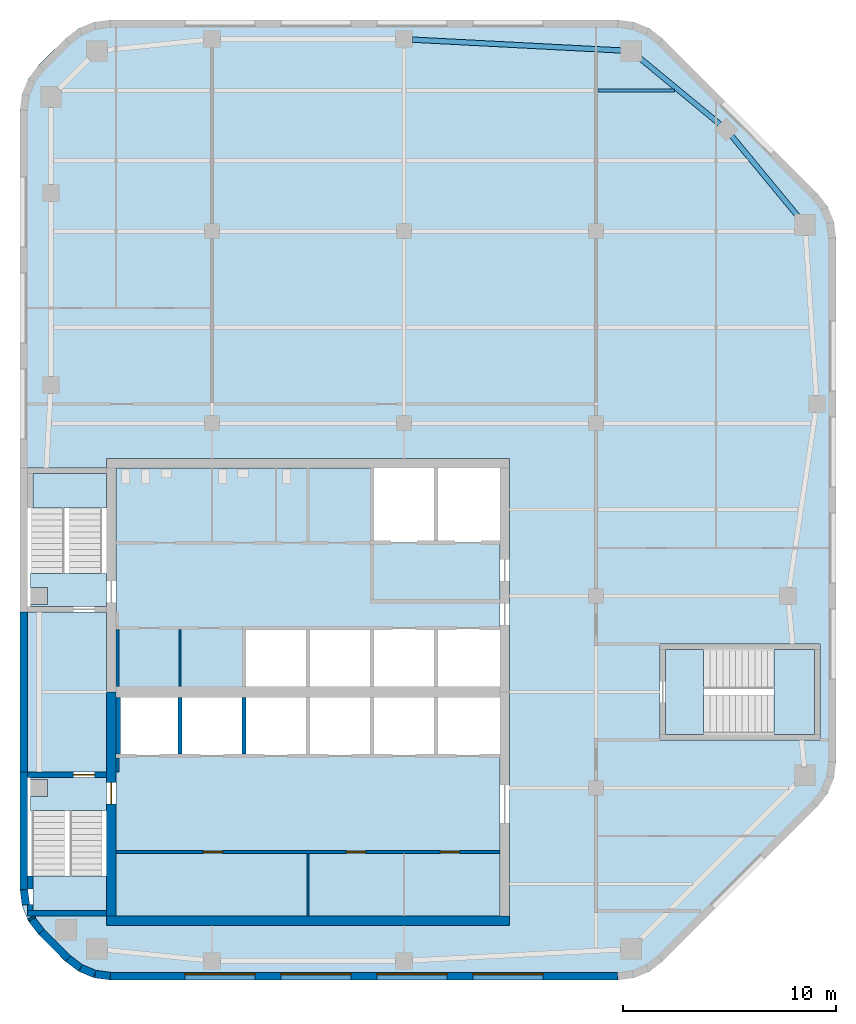
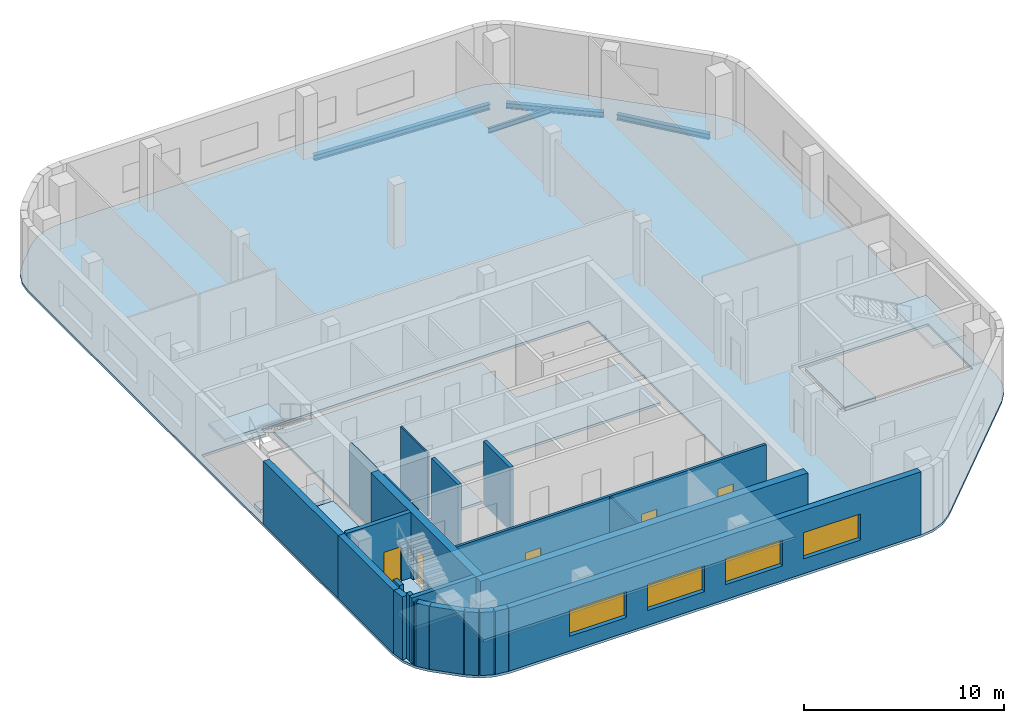
# One storey, part 2 of 7: 24 walls, 9 slabs, 5 doors, 4 beams, 4 windows, 9 openings, 3 elements without a shape of their own.
"""IFC4 building model written with IfcOpenShell, lengths in metres."""

from ifc_helpers import new_model, si_unit, direction, frame, frame_2d, origin, origin_2d, place, context, subcontext, project, spatial, polyline, rectangle, i_section, outline, extrude, material, layer, layer_set, material_profile, profile_set, type_object, element, fill, aggregate, save


model = new_model("IFC4")

# Units and contexts
model_context = context("Model", 3, precision=1e-05, world=origin(), true_north=direction((0.0, 1.0)))
body_context = subcontext(model_context, "Body", "Model", "MODEL_VIEW")
ifc_project = project(units=[si_unit("LENGTHUNIT", "METRE"), si_unit("AREAUNIT", "SQUARE_METRE"), si_unit("VOLUMEUNIT", "CUBIC_METRE"), si_unit("PLANEANGLEUNIT", "RADIAN"), si_unit("MASSUNIT", "GRAM", prefix="KILO")], contexts=[model_context])

# Site, building, storey
site_placement = place(None, origin())
site = spatial("IfcSite", under=ifc_project, at=site_placement, CompositionType="ELEMENT")
building_placement = place(site_placement, origin())
building = spatial("IfcBuilding", under=site, at=building_placement, Name="Cinnabar Reach Civic Tower", CompositionType="ELEMENT")
storey_placement = place(building_placement, frame((0.0, 0.0, 275.0)))
storey = spatial("IfcBuildingStorey", under=building, at=storey_placement, Name="L66", CompositionType="ELEMENT", Elevation=275.0)

# Beams
ifc_material_1 = material(Name="Steel Q355B", Category="steel")
ifc_material_profile_1 = material_profile(ifc_material_1, i_section(OverallWidth=0.25, OverallDepth=0.34, WebThickness=0.009, FlangeThickness=0.014, FilletRadius=0.013, at=origin_2d()), Name="HM340x250x9x14")
ifc_profile_set_1 = profile_set([ifc_material_profile_1], Name="Steel Q355B")
beam_type_1 = type_object("IfcBeamType", Name="HM340x250x9x14 beam R 180", PredefinedType="BEAM", material=ifc_profile_set_1)
for number, where, z_axis, x_axis, name in (
    (1, (36.4818, 53.7801, -0.32), (-0.636303312762, 0.771438976309, 0.0), (-0.771438976309, -0.636303312762, 0.0), "Edge beam T1 L66 9"),
    (2, (32.8486, 58.0822, -0.32), (-0.771438976309, 0.636303312762, 0.0), (-0.636303312762, -0.771438976309, 0.0), "Edge beam T1 L66 10"),
):
    element("IfcBeam", number, at=place(storey_placement, frame(where, z_axis=z_axis, x_axis=x_axis)), inside=storey, type_object=beam_type_1, Name=name, PredefinedType="BEAM", context=body_context, shape_type="SweptSolid", body=[
        extrude(i_section(OverallWidth=0.25, OverallDepth=0.34, WebThickness=0.009, FlangeThickness=0.014, FilletRadius=0.013, at=origin_2d()), origin(), (0.0, 0.0, 1.0), 4.9498),
    ])
beam_1_placement = place(storey_placement, frame((28.2661, 61.5667, -0.32), z_axis=(-0.998653533726, 0.051876001934, 0.0), x_axis=(-0.051876001934, -0.998653533726, 0.0)))
element("IfcBeam", 3, at=beam_1_placement, inside=storey, type_object=beam_type_1, Name="Edge beam T1 L66 11", PredefinedType="BEAM", context=body_context, shape_type="SweptSolid", body=[
    extrude(i_section(OverallWidth=0.25, OverallDepth=0.34, WebThickness=0.009, FlangeThickness=0.014, FilletRadius=0.013, at=origin_2d()), origin(), (0.0, 0.0, 1.0), 9.8774),
])
ifc_material_profile_2 = material_profile(ifc_material_1, i_section(OverallWidth=0.15, OverallDepth=0.3, WebThickness=0.0065, FlangeThickness=0.009, FilletRadius=0.013, at=origin_2d()), Name="HN300x150x6.5x9")
ifc_profile_set_2 = profile_set([ifc_material_profile_2], Name="Steel Q355B")
beam_type_2 = type_object("IfcBeamType", Name="HN300x150x6.5x9 beam R 180", PredefinedType="BEAM", material=ifc_profile_set_2)
beam_2_placement = place(storey_placement, frame((27.102, 59.7, -0.3), z_axis=(1.0, 0.0, 0.0), x_axis=(0.0, 1.0, 0.0)))
element("IfcBeam", 4, at=beam_2_placement, inside=storey, type_object=beam_type_2, Name="Secondary beam T1 L66 19", PredefinedType="BEAM", context=body_context, shape_type="SweptSolid", body=[
    extrude(i_section(OverallWidth=0.15, OverallDepth=0.3, WebThickness=0.0065, FlangeThickness=0.009, FilletRadius=0.013, at=origin_2d()), origin(), (0.0, 0.0, 1.0), 3.5856),
])

# Slab
ifc_material_2 = material(Name="Concrete C40", Category="concrete")
ifc_layer_1 = layer(ifc_material_2, 0.15)
ifc_layer_set_1 = layer_set([ifc_layer_1], Name="Composite floor slab 150 REI 150")
slab_type_1 = type_object("IfcSlabType", Name="Composite floor slab 150 REI 150", PredefinedType="FLOOR", material=ifc_layer_set_1)
slab_1_placement = place(storey_placement, frame((0.0, 0.0, -0.15)))
element("IfcSlab", 5, at=slab_1_placement, inside=storey, type_object=slab_type_1, Name="Composite floor slab 150 T1 L66", PredefinedType="FLOOR", context=body_context, shape_type="SweptSolid", body=[
    extrude(outline(polyline([(0.8787, 20.1213), (0.4019, 20.7426), (0.1022, 21.4662), (0.0, 22.2426), (0.0, 58.7574), (0.1022, 59.5338), (0.4019, 60.2574), (0.8787, 60.8787), (2.1213, 62.1213), (2.7426, 62.5981), (3.4662, 62.8978), (4.2426, 63.0), (28.0074, 63.0), (28.7838, 62.8978), (29.5074, 62.5981), (30.1287, 62.1213), (37.3713, 54.8787), (37.8481, 54.2574), (38.1478, 53.5338), (38.25, 52.7574), (38.25, 28.2426), (38.1478, 27.4662), (37.8481, 26.7426), (37.3713, 26.1213), (30.1287, 18.8787), (29.5074, 18.4019), (28.7838, 18.1022), (28.0074, 18.0), (4.2426, 18.0), (3.4662, 18.1022), (2.7426, 18.4019), (2.1213, 18.8787), (0.8787, 20.1213)]), holes=[polyline([(0.685, 21.0), (4.05, 21.0), (4.05, 20.55), (22.95, 20.55), (22.95, 42.45), (4.05, 42.45), (4.05, 42.0), (0.36, 42.0), (0.36, 35.25), (4.05, 35.25), (4.05, 27.75), (0.36, 27.75), (0.36, 22.2662), (0.453, 21.5602), (0.685, 21.0)]), polyline([(30.0, 33.75), (30.0, 29.25), (37.5, 29.25), (37.5, 33.75), (30.0, 33.75)])]), origin(), (0.0, 0.0, 1.0), 0.15),
])

# Stair, slabs
ifc_material_3 = material(Name="Concrete C40/50", Category="concrete")
stair_type = type_object("IfcStairType", Name="T1 Exit stair, half-turn", PredefinedType="HALF_TURN_STAIR", material=ifc_material_3)
stair_1_placement = place(storey_placement, origin())
stair_1 = element("IfcStair", 6, at=stair_1_placement, inside=storey, type_object=stair_type, Name="Stair T1-S1", PredefinedType="HALF_TURN_STAIR")
ifc_layer_2 = layer(ifc_material_3, 0.2)
ifc_layer_set_2 = layer_set([ifc_layer_2], Name="T1 Stair landing 200, Concrete C40/50")
slab_type_2 = type_object("IfcSlabType", Name="T1 Stair landing 200, Concrete C40/50", PredefinedType="LANDING", material=ifc_layer_set_2)
slab_2_placement = place(storey_placement, frame((0.0, 0.0, -0.2)))
slab_2 = element("IfcSlab", 7, at=slab_2_placement, type_object=slab_type_2, Name="T1-S1 landing 1", PredefinedType="LANDING", context=body_context, shape_type="SweptSolid", body=[
    extrude(outline(polyline([(0.5, 27.5), (4.05, 27.5), (4.05, 25.95), (0.5, 25.95), (0.5, 26.6), (1.3, 26.6), (1.3, 27.4), (0.5, 27.4), (0.5, 27.5)])), origin(), (0.0, 0.0, 1.0), 0.2),
])
slab_3_placement = place(storey_placement, frame((0.0, 0.0, 1.8)))
slab_3 = element("IfcSlab", 8, at=slab_3_placement, type_object=slab_type_2, Name="T1-S1 landing 2", PredefinedType="LANDING", context=body_context, shape_type="SweptSolid", body=[
    extrude(outline(polyline([(0.6, 21.25), (0.6, 22.87), (4.05, 22.87), (4.05, 21.25), (0.6, 21.25)])), origin(), (0.0, 0.0, 1.0), 0.2),
])
aggregate(stair_1, [slab_2, slab_3])

stair_2_placement = place(storey_placement, origin())
stair_2 = element("IfcStair", 9, at=stair_2_placement, inside=storey, type_object=stair_type, Name="Stair T1-S2", PredefinedType="HALF_TURN_STAIR")
slab_4_placement = place(storey_placement, frame((0.0, 0.0, -0.2)))
slab_4 = element("IfcSlab", 10, at=slab_4_placement, type_object=slab_type_2, Name="T1-S2 landing 1", PredefinedType="LANDING", context=body_context, shape_type="SweptSolid", body=[
    extrude(outline(polyline([(0.5, 37.05), (4.05, 37.05), (4.05, 35.5), (0.5, 35.5), (0.5, 35.6), (1.3, 35.6), (1.3, 36.4), (0.5, 36.4), (0.5, 37.05)])), origin(), (0.0, 0.0, 1.0), 0.2),
])
slab_5_placement = place(storey_placement, frame((0.0, 0.0, 1.8)))
slab_5 = element("IfcSlab", 11, at=slab_5_placement, type_object=slab_type_2, Name="T1-S2 landing 2", PredefinedType="LANDING", context=body_context, shape_type="SweptSolid", body=[
    extrude(outline(polyline([(0.6, 40.13), (0.6, 41.75), (4.05, 41.75), (4.05, 40.13), (0.6, 40.13)])), origin(), (0.0, 0.0, 1.0), 0.2),
])
aggregate(stair_2, [slab_4, slab_5])

stair_3_placement = place(storey_placement, origin())
stair_3 = element("IfcStair", 12, at=stair_3_placement, inside=storey, type_object=stair_type, Name="Stair T1-S3", PredefinedType="HALF_TURN_STAIR")
slab_6_placement = place(storey_placement, frame((0.0, 0.0, -0.2)))
slab_6 = element("IfcSlab", 13, at=slab_6_placement, type_object=slab_type_2, Name="T1-S3 landing 1", PredefinedType="LANDING", context=body_context, shape_type="SweptSolid", body=[
    extrude(outline(polyline([(30.25, 29.5), (32.05, 29.5), (32.05, 33.5), (30.25, 33.5), (30.25, 29.5)])), origin(), (0.0, 0.0, 1.0), 0.2),
])
slab_7_placement = place(storey_placement, frame((0.0, 0.0, 1.8)))
slab_7 = element("IfcSlab", 14, at=slab_7_placement, type_object=slab_type_2, Name="T1-S3 landing 2", PredefinedType="LANDING", context=body_context, shape_type="SweptSolid", body=[
    extrude(outline(polyline([(35.35, 29.5), (37.25, 29.5), (37.25, 33.5), (35.35, 33.5), (35.35, 29.5)])), origin(), (0.0, 0.0, 1.0), 0.2),
])
aggregate(stair_3, [slab_6, slab_7])

# Slabs
ifc_layer_3 = layer(ifc_material_3, 0.15)
ifc_layer_set_3 = layer_set([ifc_layer_3], Name="T1 core floor slab 150")
slab_type_3 = type_object("IfcSlabType", Name="T1 core floor slab 150", PredefinedType="FLOOR", material=ifc_layer_set_3)
slab_8_placement = place(storey_placement, frame((0.0, 0.0, -0.15)))
element("IfcSlab", 15, at=slab_8_placement, inside=storey, type_object=slab_type_3, Name="Core floor slab L66", PredefinedType="FLOOR", context=body_context, shape_type="SweptSolid", body=[
    extrude(outline(polyline([(22.5, 21.0), (4.5, 21.0), (4.5, 28.5), (7.5, 28.5), (10.5, 28.5), (13.5, 28.5), (16.5, 28.5), (19.5, 28.5), (22.5, 28.5), (22.5, 21.0)])), origin(), (0.0, 0.0, 1.0), 0.15),
])
slab_9_placement = place(storey_placement, frame((0.0, 0.0, -0.15)))
element("IfcSlab", 16, at=slab_9_placement, inside=storey, type_object=slab_type_3, Name="Core floor slab L66", PredefinedType="FLOOR", context=body_context, shape_type="SweptSolid", body=[
    extrude(outline(polyline([(22.5, 34.5), (19.5, 34.5), (16.5, 34.5), (13.5, 34.5), (10.5, 34.5), (10.5, 31.5), (7.5, 31.5), (4.5, 31.5), (4.5, 42.0), (16.5, 42.0), (16.5, 38.5), (19.5, 38.5), (22.5, 38.5), (22.5, 34.5)])), origin(), (0.0, 0.0, 1.0), 0.15),
])

# Walls
ifc_material_4 = material(Name="Facing brick with insulated backing", Category="masonry")
ifc_layer_4 = layer(ifc_material_4, 0.36)
ifc_layer_set_4 = layer_set([ifc_layer_4], Name="Brick corner wall")
wall_type_1 = type_object("IfcWallType", Name="Brick corner wall", PredefinedType="STANDARD", material=ifc_layer_set_4)
wall_1_placement = place(storey_placement, frame((0.183, 22.2314, 0.0), z_axis=(0.0, 0.0, 1.0), x_axis=(0.13055608231, -0.99144092581, 0.0)))
element("IfcWall", 17, at=wall_1_placement, inside=storey, type_object=wall_type_1, Name="Brick corner wall", PredefinedType="STANDARD", context=body_context, shape_type="SweptSolid", body=[
    extrude(rectangle(XDim=0.7131, YDim=0.36, at=frame_2d((0.3565, 0.0))), origin(), (0.0, 0.0, 1.0), 3.85),
])
wall_2_placement = place(storey_placement, frame((0.5206, 20.9265, 0.0), z_axis=(0.0, 0.0, 1.0), x_axis=(0.382549378284, -0.923935048136, 0.0)))
element("IfcWall", 18, at=wall_2_placement, inside=storey, type_object=wall_type_1, Name="Brick corner wall", PredefinedType="STANDARD", context=body_context, shape_type="SweptSolid", body=[
    extrude(rectangle(XDim=0.0894, YDim=0.36, at=frame_2d((0.0447, 0.0))), origin(), (0.0, 0.0, 1.0), 3.85),
])
for number, where, z_axis, x_axis, name in (
    (19, (0.566, 20.8245, 0.0), (0.0, 0.0, 1.0), (0.608802368033, -0.793321924995, 0.0), "Brick corner wall"),
    (20, (2.2587, 19.0002, 0.0), (0.0, 0.0, 1.0), (0.793321924995, -0.608802368033, 0.0), "Brick corner wall"),
):
    element("IfcWall", number, at=place(storey_placement, frame(where, z_axis=z_axis, x_axis=x_axis)), inside=storey, type_object=wall_type_1, Name=name, PredefinedType="STANDARD", context=body_context, shape_type="SweptSolid", body=[
        extrude(rectangle(XDim=0.7132, YDim=0.36, at=frame_2d((0.3566, 0.0))), origin(), (0.0, 0.0, 1.0), 3.85),
    ])
for number, where, z_axis, x_axis, name in (
    (21, (2.8439, 18.5548, 0.0), (0.0, 0.0, 1.0), (0.923871547278, -0.382702709855, 0.0), "Brick corner wall"),
    (22, (3.5244, 18.2761, 0.0), (0.0, 0.0, 1.0), (0.99144092581, -0.13055608231, 0.0), "Brick corner wall"),
):
    element("IfcWall", number, at=place(storey_placement, frame(where, z_axis=z_axis, x_axis=x_axis)), inside=storey, type_object=wall_type_1, Name=name, PredefinedType="STANDARD", context=body_context, shape_type="SweptSolid", body=[
        extrude(rectangle(XDim=0.7131, YDim=0.36, at=frame_2d((0.3565, 0.0))), origin(), (0.0, 0.0, 1.0), 3.85),
    ])

# Wall, openings, windows
ifc_layer_5 = layer(ifc_material_4, 0.36)
ifc_layer_set_5 = layer_set([ifc_layer_5], Name="Brick pier and spandrel wall")
wall_type_2 = type_object("IfcWallType", Name="Brick pier and spandrel wall", PredefinedType="STANDARD", material=ifc_layer_set_5)
wall_3_placement = place(storey_placement, frame((4.2426, 18.18, 0.0), z_axis=(0.0, 0.0, 1.0), x_axis=(1.0, 0.0, 0.0)))
wall_3 = element("IfcWall", 23, at=wall_3_placement, inside=storey, type_object=wall_type_2, Name="Brick facade wall", PredefinedType="STANDARD", context=body_context, shape_type="SweptSolid", body=[
    extrude(rectangle(XDim=23.7648, YDim=0.36, at=frame_2d((11.8824, 0.0))), origin(), (0.0, 0.0, 1.0), 3.85),
])
opening_1_placement = place(wall_3_placement, frame((3.4824, 0.0, 0.9)))
opening_1 = element("IfcOpeningElement", 24, at=opening_1_placement, cuts=wall_3, Name="Opening W2296", PredefinedType="OPENING", context=body_context, shape_type="SweptSolid", body=[
    extrude(rectangle(XDim=3.3, YDim=1.6, at=frame_2d((1.65, 0.8))), frame((0.0, 0.19, 0.0), z_axis=(0.0, -1.0, 0.0), x_axis=(1.0, 0.0, 0.0)), (0.0, 0.0, 1.0), 0.38),
])
opening_2_placement = place(wall_3_placement, frame((7.9824, 0.0, 0.9)))
opening_2 = element("IfcOpeningElement", 25, at=opening_2_placement, cuts=wall_3, Name="Opening W2297", PredefinedType="OPENING", context=body_context, shape_type="SweptSolid", body=[
    extrude(rectangle(XDim=3.3, YDim=1.6, at=frame_2d((1.65, 0.8))), frame((0.0, 0.19, 0.0), z_axis=(0.0, -1.0, 0.0), x_axis=(1.0, 0.0, 0.0)), (0.0, 0.0, 1.0), 0.38),
])
opening_3_placement = place(wall_3_placement, frame((12.4824, 0.0, 0.9)))
opening_3 = element("IfcOpeningElement", 26, at=opening_3_placement, cuts=wall_3, Name="Opening W2298", PredefinedType="OPENING", context=body_context, shape_type="SweptSolid", body=[
    extrude(rectangle(XDim=3.3, YDim=1.6, at=frame_2d((1.65, 0.8))), frame((0.0, 0.19, 0.0), z_axis=(0.0, -1.0, 0.0), x_axis=(1.0, 0.0, 0.0)), (0.0, 0.0, 1.0), 0.38),
])
opening_4_placement = place(wall_3_placement, frame((16.9824, 0.0, 0.9)))
opening_4 = element("IfcOpeningElement", 27, at=opening_4_placement, cuts=wall_3, Name="Opening W2299", PredefinedType="OPENING", context=body_context, shape_type="SweptSolid", body=[
    extrude(rectangle(XDim=3.3, YDim=1.6, at=frame_2d((1.65, 0.8))), frame((0.0, 0.19, 0.0), z_axis=(0.0, -1.0, 0.0), x_axis=(1.0, 0.0, 0.0)), (0.0, 0.0, 1.0), 0.38),
])
ifc_material_5 = material(Name="Clear double glazing in aluminium frame", Category="aluminium")
window_type = type_object("IfcWindowType", Name="Deep-set window A", PartitioningType="SINGLE_PANEL", PredefinedType="WINDOW", material=ifc_material_5)
window_1_placement = place(opening_1_placement, origin())
window_1 = element("IfcWindow", 28, at=window_1_placement, inside=storey, type_object=window_type, Name="Window south face", OverallHeight=1.6, OverallWidth=3.3, PartitioningType="SINGLE_PANEL", PredefinedType="WINDOW", context=body_context, shape_type="SweptSolid", body=[
    extrude(rectangle(XDim=3.3, YDim=1.6, at=frame_2d((1.65, 0.8))), frame((0.0, 0.13, 0.0), z_axis=(0.0, -1.0, 0.0), x_axis=(1.0, 0.0, 0.0)), (0.0, 0.0, 1.0), 0.06),
])
fill(opening_1, window_1)
window_2_placement = place(opening_2_placement, origin())
window_2 = element("IfcWindow", 29, at=window_2_placement, inside=storey, type_object=window_type, Name="Window south face", OverallHeight=1.6, OverallWidth=3.3, PartitioningType="SINGLE_PANEL", PredefinedType="WINDOW", context=body_context, shape_type="SweptSolid", body=[
    extrude(rectangle(XDim=3.3, YDim=1.6, at=frame_2d((1.65, 0.8))), frame((0.0, 0.13, 0.0), z_axis=(0.0, -1.0, 0.0), x_axis=(1.0, 0.0, 0.0)), (0.0, 0.0, 1.0), 0.06),
])
fill(opening_2, window_2)
window_3_placement = place(opening_3_placement, origin())
window_3 = element("IfcWindow", 30, at=window_3_placement, inside=storey, type_object=window_type, Name="Window south face", OverallHeight=1.6, OverallWidth=3.3, PartitioningType="SINGLE_PANEL", PredefinedType="WINDOW", context=body_context, shape_type="SweptSolid", body=[
    extrude(rectangle(XDim=3.3, YDim=1.6, at=frame_2d((1.65, 0.8))), frame((0.0, 0.13, 0.0), z_axis=(0.0, -1.0, 0.0), x_axis=(1.0, 0.0, 0.0)), (0.0, 0.0, 1.0), 0.06),
])
fill(opening_3, window_3)
window_4_placement = place(opening_4_placement, origin())
window_4 = element("IfcWindow", 31, at=window_4_placement, inside=storey, type_object=window_type, Name="Window south face", OverallHeight=1.6, OverallWidth=3.3, PartitioningType="SINGLE_PANEL", PredefinedType="WINDOW", context=body_context, shape_type="SweptSolid", body=[
    extrude(rectangle(XDim=3.3, YDim=1.6, at=frame_2d((1.65, 0.8))), frame((0.0, 0.13, 0.0), z_axis=(0.0, -1.0, 0.0), x_axis=(1.0, 0.0, 0.0)), (0.0, 0.0, 1.0), 0.06),
])
fill(opening_4, window_4)

# Walls
wall_4_placement = place(storey_placement, frame((0.18, 35.25, 0.0), z_axis=(0.0, 0.0, 1.0), x_axis=(0.0, -1.0, 0.0)))
element("IfcWall", 32, at=wall_4_placement, inside=storey, type_object=wall_type_2, Name="Brick facade wall", PredefinedType="STANDARD", context=body_context, shape_type="SweptSolid", body=[
    extrude(rectangle(XDim=7.5, YDim=0.36, at=frame_2d((3.75, 0.0))), origin(), (0.0, 0.0, 1.0), 3.85),
])
wall_5_placement = place(storey_placement, frame((0.18, 27.75, 0.0), z_axis=(0.0, 0.0, 1.0), x_axis=(0.0, -1.0, 0.0)))
element("IfcWall", 33, at=wall_5_placement, inside=storey, type_object=wall_type_2, Name="Brick facade wall", PredefinedType="STANDARD", context=body_context, shape_type="SweptSolid", body=[
    extrude(rectangle(XDim=5.5074, YDim=0.36, at=frame_2d((2.7537, 0.0))), origin(), (0.0, 0.0, 1.0), 3.85),
])
wall_6_placement = place(storey_placement, frame((1.006, 20.2486, 0.0), z_axis=(0.0, 0.0, 1.0), x_axis=(0.707106781187, -0.707106781187, 0.0)))
element("IfcWall", 34, at=wall_6_placement, inside=storey, type_object=wall_type_2, Name="Brick facade wall", PredefinedType="STANDARD", context=body_context, shape_type="SweptSolid", body=[
    extrude(rectangle(XDim=1.7573, YDim=0.36, at=frame_2d((0.8787, 0.0))), origin(), (0.0, 0.0, 1.0), 3.85),
])
ifc_material_6 = material(Name="Concrete C60", Category="concrete")
ifc_layer_6 = layer(ifc_material_6, 0.45)
ifc_layer_set_6 = layer_set([ifc_layer_6], Name="Core wall 450 EI 180")
wall_type_3 = type_object("IfcWallType", Name="Core wall 450 EI 180", PredefinedType="SOLIDWALL", material=ifc_layer_set_6)
wall_7_placement = place(storey_placement, frame((4.05, 20.775, 0.0), z_axis=(0.0, 0.0, 1.0), x_axis=(1.0, 0.0, 0.0)))
element("IfcWall", 35, at=wall_7_placement, inside=storey, type_object=wall_type_3, Name="Core wall T1 L66 S", PredefinedType="SOLIDWALL", context=body_context, shape_type="SweptSolid", body=[
    extrude(rectangle(XDim=18.9, YDim=0.45, at=frame_2d((9.45, 0.0))), origin(), (0.0, 0.0, 1.0), 4.0),
])

# Wall, opening, door
wall_8_placement = place(storey_placement, frame((4.275, 31.5, 0.0), z_axis=(0.0, 0.0, 1.0), x_axis=(0.0, -1.0, 0.0)))
wall_8 = element("IfcWall", 36, at=wall_8_placement, inside=storey, type_object=wall_type_3, Name="Core wall T1 L66 W2", PredefinedType="SOLIDWALL", context=body_context, shape_type="SweptSolid", body=[
    extrude(rectangle(XDim=10.5, YDim=0.45, at=frame_2d((5.25, 0.0))), origin(), (0.0, 0.0, 1.0), 4.0),
])
opening_5_placement = place(wall_8_placement, frame((4.25, 0.0, 0.0)))
opening_5 = element("IfcOpeningElement", 37, at=opening_5_placement, cuts=wall_8, Name="Opening D5620", PredefinedType="OPENING", context=body_context, shape_type="SweptSolid", body=[
    extrude(rectangle(XDim=1.0, YDim=2.1, at=frame_2d((0.5, 1.05))), frame((0.0, 0.235, 0.0), z_axis=(0.0, -1.0, 0.0), x_axis=(1.0, 0.0, 0.0)), (0.0, 0.0, 1.0), 0.47),
])
ifc_material_7 = material(Name="Timber door leaf in steel frame", Category="steel")
door_type_1 = type_object("IfcDoorType", Name="Stair door 1000 x 2100 T1", OperationType="SINGLE_SWING_LEFT", PredefinedType="DOOR", material=ifc_material_7)
door_1_placement = place(opening_5_placement, frame((1.0, 0.0, 0.0), z_axis=(0.0, 0.0, 1.0), x_axis=(-1.0, 0.0, 0.0)))
door_1 = element("IfcDoor", 38, at=door_1_placement, inside=storey, type_object=door_type_1, Name="Door D5620", OperationType="SINGLE_SWING_RIGHT", OverallHeight=2.1, OverallWidth=1.0, PredefinedType="DOOR", context=body_context, shape_type="SweptSolid", body=[
    extrude(rectangle(XDim=1.0, YDim=2.1, at=frame_2d((0.5, 1.05))), frame((0.0, 0.025, 0.0), z_axis=(0.0, -1.0, 0.0), x_axis=(1.0, 0.0, 0.0)), (0.0, 0.0, 1.0), 0.05),
])
fill(opening_5, door_1)

# Wall, openings, doors
ifc_material_8 = material(Name="Gypsum board on steel studs, double layer", Category="steel")
ifc_layer_7 = layer(ifc_material_8, 0.15)
ifc_layer_set_7 = layer_set([ifc_layer_7], Name="Corridor wall 150 T1")
wall_type_4 = type_object("IfcWallType", Name="Corridor wall 150 T1", PredefinedType="PARTITIONING", material=ifc_layer_set_7)
wall_9_placement = place(storey_placement, frame((4.5, 24.0, 0.0), z_axis=(0.0, 0.0, 1.0), x_axis=(1.0, 0.0, 0.0)))
wall_9 = element("IfcWall", 39, at=wall_9_placement, inside=storey, type_object=wall_type_4, Name="Corridor wall 19", PredefinedType="PARTITIONING", context=body_context, shape_type="SweptSolid", body=[
    extrude(rectangle(XDim=18.0, YDim=0.15, at=frame_2d((9.0, 0.0))), origin(), (0.0, 0.0, 1.0), 3.85),
])
opening_6_placement = place(wall_9_placement, frame((4.1, 0.0, 0.0)))
opening_6 = element("IfcOpeningElement", 40, at=opening_6_placement, cuts=wall_9, Name="Opening D5638", PredefinedType="OPENING", context=body_context, shape_type="SweptSolid", body=[
    extrude(rectangle(XDim=0.9, YDim=2.1, at=frame_2d((0.45, 1.05))), frame((0.0, 0.085, 0.0), z_axis=(0.0, -1.0, 0.0), x_axis=(1.0, 0.0, 0.0)), (0.0, 0.0, 1.0), 0.17),
])
opening_7_placement = place(wall_9_placement, frame((10.8, 0.0, 0.0)))
opening_7 = element("IfcOpeningElement", 41, at=opening_7_placement, cuts=wall_9, Name="Opening D5639", PredefinedType="OPENING", context=body_context, shape_type="SweptSolid", body=[
    extrude(rectangle(XDim=0.9, YDim=2.1, at=frame_2d((0.45, 1.05))), frame((0.0, 0.085, 0.0), z_axis=(0.0, -1.0, 0.0), x_axis=(1.0, 0.0, 0.0)), (0.0, 0.0, 1.0), 0.17),
])
opening_8_placement = place(wall_9_placement, frame((15.2, 0.0, 0.0)))
opening_8 = element("IfcOpeningElement", 42, at=opening_8_placement, cuts=wall_9, Name="Opening D5640", PredefinedType="OPENING", context=body_context, shape_type="SweptSolid", body=[
    extrude(rectangle(XDim=0.9, YDim=2.1, at=frame_2d((0.45, 1.05))), frame((0.0, 0.085, 0.0), z_axis=(0.0, -1.0, 0.0), x_axis=(1.0, 0.0, 0.0)), (0.0, 0.0, 1.0), 0.17),
])
door_type_2 = type_object("IfcDoorType", Name="Single swing door 900 x 2100 corridor T1", OperationType="SINGLE_SWING_LEFT", PredefinedType="DOOR", material=ifc_material_7)
door_2_placement = place(opening_6_placement, frame((0.9, 0.0, 0.0), z_axis=(0.0, 0.0, 1.0), x_axis=(-1.0, 0.0, 0.0)))
door_2 = element("IfcDoor", 43, at=door_2_placement, inside=storey, type_object=door_type_2, Name="Door D5638", OperationType="SINGLE_SWING_LEFT", OverallHeight=2.1, OverallWidth=0.9, PredefinedType="DOOR", context=body_context, shape_type="SweptSolid", body=[
    extrude(rectangle(XDim=0.9, YDim=2.1, at=frame_2d((0.45, 1.05))), frame((0.0, 0.025, 0.0), z_axis=(0.0, -1.0, 0.0), x_axis=(1.0, 0.0, 0.0)), (0.0, 0.0, 1.0), 0.05),
])
fill(opening_6, door_2)
door_3_placement = place(opening_7_placement, frame((0.9, 0.0, 0.0), z_axis=(0.0, 0.0, 1.0), x_axis=(-1.0, 0.0, 0.0)))
door_3 = element("IfcDoor", 44, at=door_3_placement, inside=storey, type_object=door_type_2, Name="Door D5639", OperationType="SINGLE_SWING_RIGHT", OverallHeight=2.1, OverallWidth=0.9, PredefinedType="DOOR", context=body_context, shape_type="SweptSolid", body=[
    extrude(rectangle(XDim=0.9, YDim=2.1, at=frame_2d((0.45, 1.05))), frame((0.0, 0.025, 0.0), z_axis=(0.0, -1.0, 0.0), x_axis=(1.0, 0.0, 0.0)), (0.0, 0.0, 1.0), 0.05),
])
fill(opening_7, door_3)
door_4_placement = place(opening_8_placement, frame((0.9, 0.0, 0.0), z_axis=(0.0, 0.0, 1.0), x_axis=(-1.0, 0.0, 0.0)))
door_4 = element("IfcDoor", 45, at=door_4_placement, inside=storey, type_object=door_type_2, Name="Door D5640", OperationType="SINGLE_SWING_RIGHT", OverallHeight=2.1, OverallWidth=0.9, PredefinedType="DOOR", context=body_context, shape_type="SweptSolid", body=[
    extrude(rectangle(XDim=0.9, YDim=2.1, at=frame_2d((0.45, 1.05))), frame((0.0, 0.025, 0.0), z_axis=(0.0, -1.0, 0.0), x_axis=(1.0, 0.0, 0.0)), (0.0, 0.0, 1.0), 0.05),
])
fill(opening_8, door_4)

# Walls
wall_10_placement = place(storey_placement, frame((4.575, 31.75, 0.0), z_axis=(0.0, 0.0, 1.0), x_axis=(0.0, 1.0, 0.0)))
element("IfcWall", 46, at=wall_10_placement, inside=storey, type_object=wall_type_4, Name="Corridor wall 29", PredefinedType="PARTITIONING", context=body_context, shape_type="SweptSolid", body=[
    extrude(rectangle(XDim=2.675, YDim=0.15, at=frame_2d((1.3375, 0.0))), origin(), (0.0, 0.0, 1.0), 3.85),
])
wall_11_placement = place(storey_placement, frame((4.575, 27.75, 0.0), z_axis=(0.0, 0.0, 1.0), x_axis=(0.0, 1.0, 0.0)))
element("IfcWall", 47, at=wall_11_placement, inside=storey, type_object=wall_type_4, Name="Corridor wall 32", PredefinedType="PARTITIONING", context=body_context, shape_type="SweptSolid", body=[
    extrude(rectangle(XDim=0.65, YDim=0.15, at=frame_2d((0.325, 0.0))), origin(), (0.0, 0.0, 1.0), 3.85),
])
ifc_material_9 = material(Name="Blockwork", Category="masonry")
ifc_layer_8 = layer(ifc_material_9, 0.2)
ifc_layer_set_8 = layer_set([ifc_layer_8], Name="Lift shaft wall 200 T1")
wall_type_5 = type_object("IfcWallType", Name="Lift shaft wall 200 T1", PredefinedType="PARTITIONING", material=ifc_layer_set_8)
for number, where, z_axis, x_axis, name in (
    (48, (10.5, 28.6, 0.0), (0.0, 0.0, 1.0), (0.0, 1.0, 0.0), "Lift shaft wall 6"),
    (49, (4.6, 28.6, 0.0), (0.0, 0.0, 1.0), (0.0, 1.0, 0.0), "Lift shaft wall 16"),
    (50, (7.5, 28.6, 0.0), (0.0, 0.0, 1.0), (0.0, 1.0, 0.0), "Lift shaft wall 17"),
):
    element("IfcWall", number, at=place(storey_placement, frame(where, z_axis=z_axis, x_axis=x_axis)), inside=storey, type_object=wall_type_5, Name=name, PredefinedType="PARTITIONING", context=body_context, shape_type="SweptSolid", body=[
        extrude(rectangle(XDim=2.65, YDim=0.2, at=frame_2d((1.325, 0.0))), origin(), (0.0, 0.0, 1.0), 3.85),
    ])
ifc_material_10 = material(Name="Gypsum board on steel studs", Category="steel")
ifc_layer_9 = layer(ifc_material_10, 0.1)
ifc_layer_set_9 = layer_set([ifc_layer_9], Name="Partition wall 100 T1")
wall_type_6 = type_object("IfcWallType", Name="Partition wall 100 T1", PredefinedType="PARTITIONING", material=ifc_layer_set_9)
wall_12_placement = place(storey_placement, frame((7.5, 31.75, 0.0), z_axis=(0.0, 0.0, 1.0), x_axis=(0.0, 1.0, 0.0)))
element("IfcWall", 51, at=wall_12_placement, inside=storey, type_object=wall_type_6, Name="Partition wall 48", PredefinedType="PARTITIONING", context=body_context, shape_type="SweptSolid", body=[
    extrude(rectangle(XDim=2.675, YDim=0.1, at=frame_2d((1.3375, 0.0))), origin(), (0.0, 0.0, 1.0), 3.85),
])
wall_13_placement = place(storey_placement, frame((13.5, 21.0, 0.0), z_axis=(0.0, 0.0, 1.0), x_axis=(0.0, 1.0, 0.0)))
element("IfcWall", 52, at=wall_13_placement, inside=storey, type_object=wall_type_6, Name="Partition wall 49", PredefinedType="PARTITIONING", context=body_context, shape_type="SweptSolid", body=[
    extrude(rectangle(XDim=2.925, YDim=0.1, at=frame_2d((1.4625, 0.0))), origin(), (0.0, 0.0, 1.0), 3.85),
])
ifc_layer_10 = layer(ifc_material_6, 0.25)
ifc_layer_set_10 = layer_set([ifc_layer_10], Name="Stair shaft wall 250 EI 120")
wall_type_7 = type_object("IfcWallType", Name="Stair shaft wall 250 EI 120", PredefinedType="SOLIDWALL", material=ifc_layer_set_10)
wall_14_placement = place(storey_placement, frame((0.36, 21.125, 0.0), z_axis=(0.0, 0.0, 1.0), x_axis=(1.0, 0.0, 0.0)))
element("IfcWall", 53, at=wall_14_placement, inside=storey, type_object=wall_type_7, Name="Stair shaft wall T1-S1 L66", PredefinedType="SOLIDWALL", context=body_context, shape_type="SweptSolid", body=[
    extrude(rectangle(XDim=3.69, YDim=0.25, at=frame_2d((1.845, 0.0))), origin(), (0.0, 0.0, 1.0), 4.0),
])

# Wall, opening, door
wall_15_placement = place(storey_placement, frame((4.05, 27.625, 0.0), z_axis=(0.0, 0.0, 1.0), x_axis=(-1.0, 0.0, 0.0)))
wall_15 = element("IfcWall", 54, at=wall_15_placement, inside=storey, type_object=wall_type_7, Name="Stair shaft wall T1-S1 L66", PredefinedType="SOLIDWALL", context=body_context, shape_type="SweptSolid", body=[
    extrude(rectangle(XDim=3.69, YDim=0.25, at=frame_2d((1.845, 0.0))), origin(), (0.0, 0.0, 1.0), 4.0),
])
opening_9_placement = place(wall_15_placement, frame((0.55, 0.0, 0.0)))
opening_9 = element("IfcOpeningElement", 55, at=opening_9_placement, cuts=wall_15, Name="Opening D5621", PredefinedType="OPENING", context=body_context, shape_type="SweptSolid", body=[
    extrude(rectangle(XDim=1.0, YDim=2.1, at=frame_2d((0.5, 1.05))), frame((0.0, 0.135, 0.0), z_axis=(0.0, -1.0, 0.0), x_axis=(1.0, 0.0, 0.0)), (0.0, 0.0, 1.0), 0.27),
])
door_5_placement = place(opening_9_placement, origin())
door_5 = element("IfcDoor", 56, at=door_5_placement, inside=storey, type_object=door_type_1, Name="Door D5621", OperationType="SINGLE_SWING_LEFT", OverallHeight=2.1, OverallWidth=1.0, PredefinedType="DOOR", context=body_context, shape_type="SweptSolid", body=[
    extrude(rectangle(XDim=1.0, YDim=2.1, at=frame_2d((0.5, 1.05))), frame((0.0, 0.025, 0.0), z_axis=(0.0, -1.0, 0.0), x_axis=(1.0, 0.0, 0.0)), (0.0, 0.0, 1.0), 0.05),
])
fill(opening_9, door_5)

# Walls
ifc_layer_11 = layer(ifc_material_3, 0.24)
ifc_layer_set_11 = layer_set([ifc_layer_11], Name="T1 landing bearer wall 240")
wall_type_8 = type_object("IfcWallType", Name="T1 landing bearer wall 240", PredefinedType="STANDARD", material=ifc_layer_set_11)
wall_16_placement = place(storey_placement, frame((0.48, 21.25, 0.0), z_axis=(0.0, 0.0, 1.0), x_axis=(0.0, 1.0, 0.0)))
element("IfcWall", 57, at=wall_16_placement, inside=storey, type_object=wall_type_8, Name="T1-S1 landing bearer wall", PredefinedType="STANDARD", context=body_context, shape_type="SweptSolid", body=[
    extrude(rectangle(XDim=0.2854, YDim=0.24, at=frame_2d((0.1427, 0.0))), origin(), (0.0, 0.0, 1.0), 4.0),
])
wall_17_placement = place(storey_placement, frame((0.48, 22.2549, 0.0), z_axis=(0.0, 0.0, 1.0), x_axis=(0.0, 1.0, 0.0)))
element("IfcWall", 58, at=wall_17_placement, inside=storey, type_object=wall_type_8, Name="T1-S1 landing bearer wall", PredefinedType="STANDARD", context=body_context, shape_type="SweptSolid", body=[
    extrude(rectangle(XDim=0.6151, YDim=0.24, at=frame_2d((0.3075, 0.0))), origin(), (0.0, 0.0, 1.0), 4.0),
])

save(model, "model.ifc")
